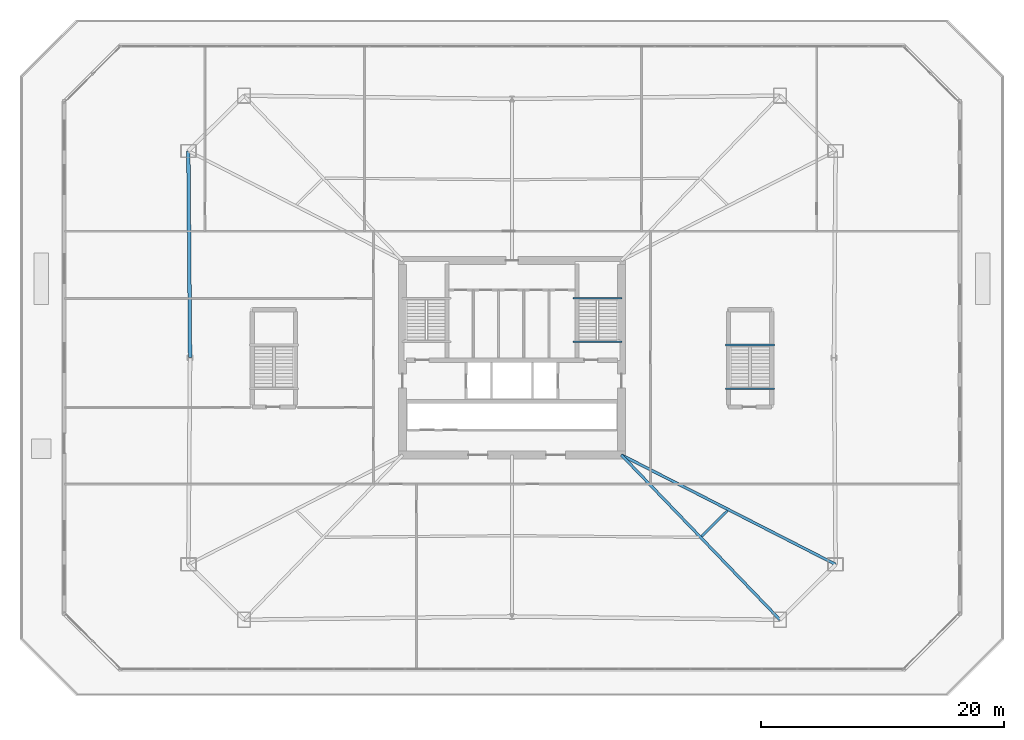
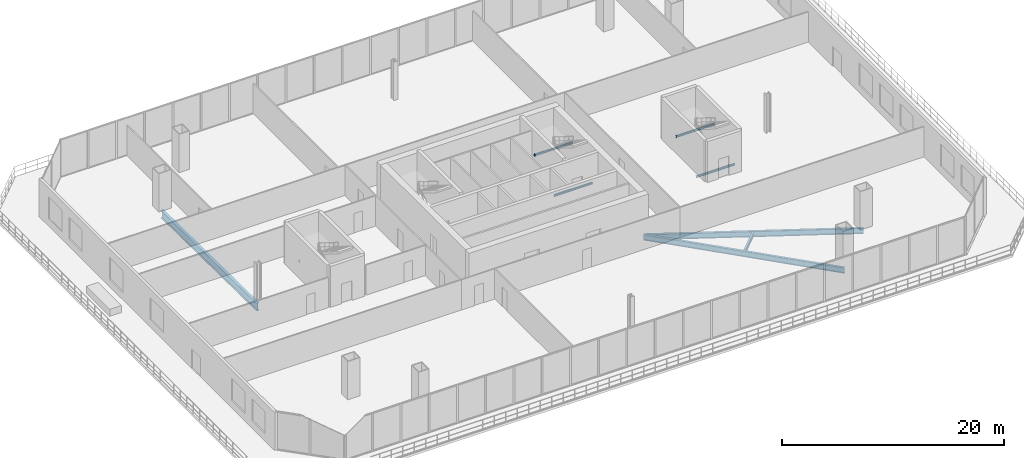
# One storey, part 11 of 31: 8 beams.
"""IFC4 building model written with IfcOpenShell, lengths in metres."""

from ifc_helpers import new_model, si_unit, direction, frame, origin, origin_2d, place, context, subcontext, project, spatial, i_section, extrude, material, material_profile, profile_set, type_object, element, save


model = new_model("IFC4")

# Units and contexts
model_context = context("Model", 3, precision=1e-05, world=origin(), true_north=direction((0.0, 1.0)))
body_context = subcontext(model_context, "Body", "Model", "MODEL_VIEW")
ifc_project = project(units=[si_unit("LENGTHUNIT", "METRE"), si_unit("AREAUNIT", "SQUARE_METRE"), si_unit("VOLUMEUNIT", "CUBIC_METRE"), si_unit("PLANEANGLEUNIT", "RADIAN"), si_unit("MASSUNIT", "GRAM", prefix="KILO")], contexts=[model_context])

# Site, building, storey
site_placement = place(None, origin())
site = spatial("IfcSite", under=ifc_project, at=site_placement, CompositionType="ELEMENT")
building_placement = place(site_placement, origin())
building = spatial("IfcBuilding", under=site, at=building_placement, Name="Caelvoria Tower", CompositionType="ELEMENT")
storey_placement = place(building_placement, frame((0.0, 0.0, 9.5)))
storey = spatial("IfcBuildingStorey", under=building, at=storey_placement, Name="L02", CompositionType="ELEMENT", Elevation=9.5)

# Beams
ifc_material = material(Name="Structural Steel ASTM A992 Gr.50", Category="steel")
ifc_material_profile_1 = material_profile(ifc_material, i_section(OverallWidth=0.134033203125, OverallDepth=0.2099609375, WebThickness=0.00634765625, FlangeThickness=0.01025390625, FilletRadius=0.010009765625, at=origin_2d()), Name="Structural Steel ASTM A992 Gr.50")
ifc_profile_set_1 = profile_set([ifc_material_profile_1], Name="W200X31.3 - Structural Steel ASTM A992 Gr.50")
beam_type_1 = type_object("IfcBeamType", Name="Canopy Edge Trim Beam W200X31.3", PredefinedType="BEAM", material=ifc_profile_set_1)
for number, where, z_axis, x_axis, name in (
    (1, (51.030029296875, 36.89990234375, 1.945068359375), (1.0, 0.0, 0.0), (0.0, 1.0, 0.0), "ST-02 Half-Landing Support Beam L02"),
    (2, (51.030029296875, 33.300048828125, -0.304931640625), (1.0, 0.0, 0.0), (0.0, 1.0, 0.0), "ST-02 Floor-Landing Support Beam L02"),
    (3, (63.580078125, 33.050048828125, 1.945068359375), (1.0, 0.0, 0.0), (0.0, 1.0, 0.0), "ST-04 Half-Landing Support Beam L02"),
    (4, (63.580078125, 29.449951171875, -0.304931640625), (1.0, 0.0, 0.0), (0.0, 1.0, 0.0), "ST-04 Floor-Landing Support Beam L02"),
):
    element("IfcBeam", number, at=place(storey_placement, frame(where, z_axis=z_axis, x_axis=x_axis)), inside=storey, type_object=beam_type_1, Name=name, PredefinedType="BEAM", context=body_context, shape_type="SweptSolid", body=[
        extrude(i_section(OverallWidth=0.134033203125, OverallDepth=0.2099609375, WebThickness=0.00634765625, FlangeThickness=0.01025390625, FilletRadius=0.010009765625, at=origin_2d()), origin(), (0.0, 0.0, 1.0), 4.0400390625),
    ])
ifc_material_profile_2 = material_profile(ifc_material, i_section(OverallWidth=0.2939453125, OverallDepth=0.85107421875, WebThickness=0.01611328125, FlangeThickness=0.02685546875, FilletRadius=0.02197265625, at=origin_2d()), Name="Structural Steel ASTM A992 Gr.50")
ifc_profile_set_2 = profile_set([ifc_material_profile_2], Name="W840X226 - Structural Steel ASTM A992 Gr.50")
beam_type_2 = type_object("IfcBeamType", Name="Podium Long-Span Girder W840X226", PredefinedType="BEAM", material=ifc_profile_set_2)
beam_1_placement = place(storey_placement, frame((19.3583984375, 49.015625, -0.70556640625), z_axis=(0.00832156677, -0.999965375164, 0.0), x_axis=(0.999965375164, 0.00832156677, 0.0)))
element("IfcBeam", 5, at=beam_1_placement, inside=storey, type_object=beam_type_2, Name="Perimeter Spandrel Girder L02-09", PredefinedType="BEAM", context=body_context, shape_type="SweptSolid", body=[
    extrude(i_section(OverallWidth=0.2939453125, OverallDepth=0.85107421875, WebThickness=0.01611328125, FlangeThickness=0.02685546875, FilletRadius=0.02197265625, at=origin_2d()), origin(), (0.0, 0.0, 1.0), 17.01611328125),
])
ifc_material_profile_3 = material_profile(ifc_material, i_section(OverallWidth=0.22900390625, OverallDepth=0.612060546875, WebThickness=0.011962890625, FlangeThickness=0.01953125, FilletRadius=0.01806640625, at=origin_2d()), Name="Structural Steel ASTM A992 Gr.50")
ifc_profile_set_3 = profile_set([ifc_material_profile_3], Name="W610X125 - Structural Steel ASTM A992 Gr.50")
beam_type_3 = type_object("IfcBeamType", Name="Primary Radial Floor Girder W610X125", PredefinedType="BEAM", material=ifc_profile_set_3)
beam_2_placement = place(storey_placement, frame((55.0, 24.0, -0.5859375), z_axis=(0.69332372519, -0.720626263807, 0.0), x_axis=(0.720626263807, 0.69332372519, 0.0)))
element("IfcBeam", 6, at=beam_2_placement, inside=storey, type_object=beam_type_3, Name="Primary Floor Girder L02-02", PredefinedType="BEAM", context=body_context, shape_type="SweptSolid", body=[
    extrude(i_section(OverallWidth=0.22900390625, OverallDepth=0.612060546875, WebThickness=0.011962890625, FlangeThickness=0.01953125, FilletRadius=0.01806640625, at=origin_2d()), origin(), (0.0, 0.0, 1.0), 18.83203125),
])
beam_3_placement = place(storey_placement, frame((55.0, 24.0, -0.5859375), z_axis=(0.890459095292, -0.455063291876, 0.0), x_axis=(0.455063291876, 0.890459095292, 0.0)))
element("IfcBeam", 7, at=beam_3_placement, inside=storey, type_object=beam_type_3, Name="Primary Floor Girder L02-03", PredefinedType="BEAM", context=body_context, shape_type="SweptSolid", body=[
    extrude(i_section(OverallWidth=0.22900390625, OverallDepth=0.612060546875, WebThickness=0.011962890625, FlangeThickness=0.01953125, FilletRadius=0.01806640625, at=origin_2d()), origin(), (0.0, 0.0, 1.0), 19.811767578125),
])
ifc_material_profile_4 = material_profile(ifc_material, i_section(OverallWidth=0.18994140625, OverallDepth=0.45703125, WebThickness=0.009033203125, FlangeThickness=0.014404296875, FilletRadius=0.014892578125, at=origin_2d()), Name="Structural Steel ASTM A992 Gr.50")
ifc_profile_set_4 = profile_set([ifc_material_profile_4], Name="W460X74 - Structural Steel ASTM A992 Gr.50")
beam_type_4 = type_object("IfcBeamType", Name="Secondary Floor Beam W460X74", PredefinedType="BEAM", material=ifc_profile_set_4)
beam_4_placement = place(storey_placement, frame((61.616943359375, 17.302734375, -0.508544921875), z_axis=(0.709395928351, 0.704810199159, 0.0), x_axis=(-0.704810199159, 0.709395928351, 0.0)))
element("IfcBeam", 8, at=beam_4_placement, inside=storey, type_object=beam_type_4, Name="Secondary Floor Beam L02-02", PredefinedType="BEAM", context=body_context, shape_type="SweptSolid", body=[
    extrude(i_section(OverallWidth=0.18994140625, OverallDepth=0.45703125, WebThickness=0.009033203125, FlangeThickness=0.014404296875, FilletRadius=0.014892578125, at=origin_2d()), origin(), (0.0, 0.0, 1.0), 2.9814453125),
])

save(model, "model.ifc")
